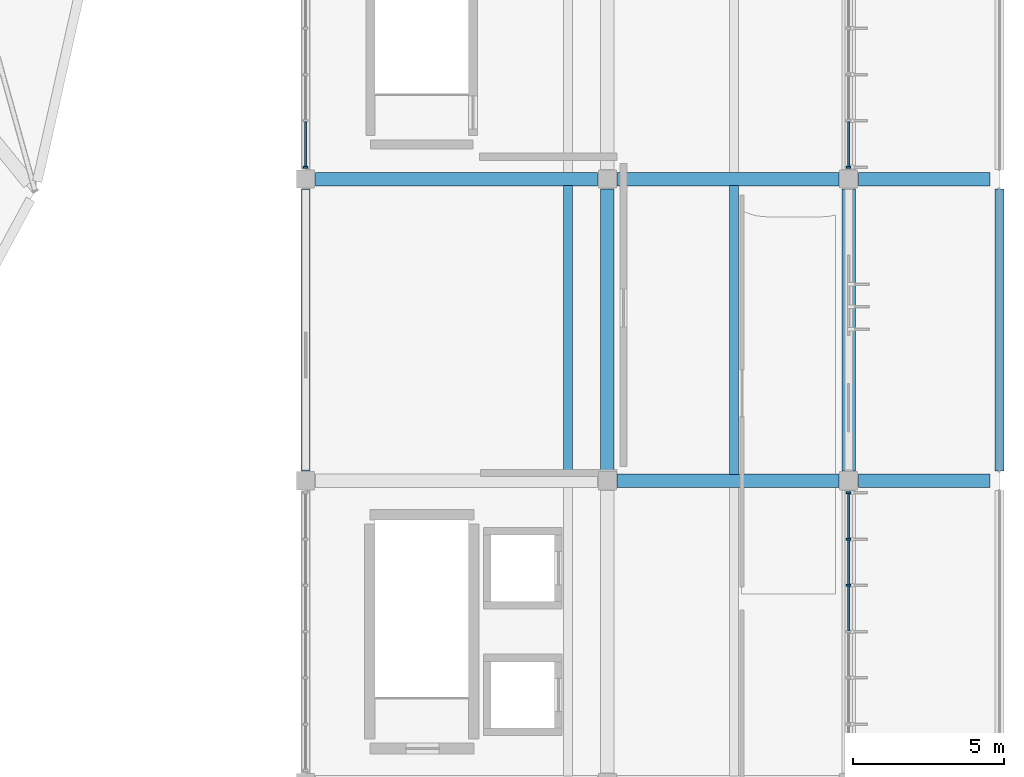
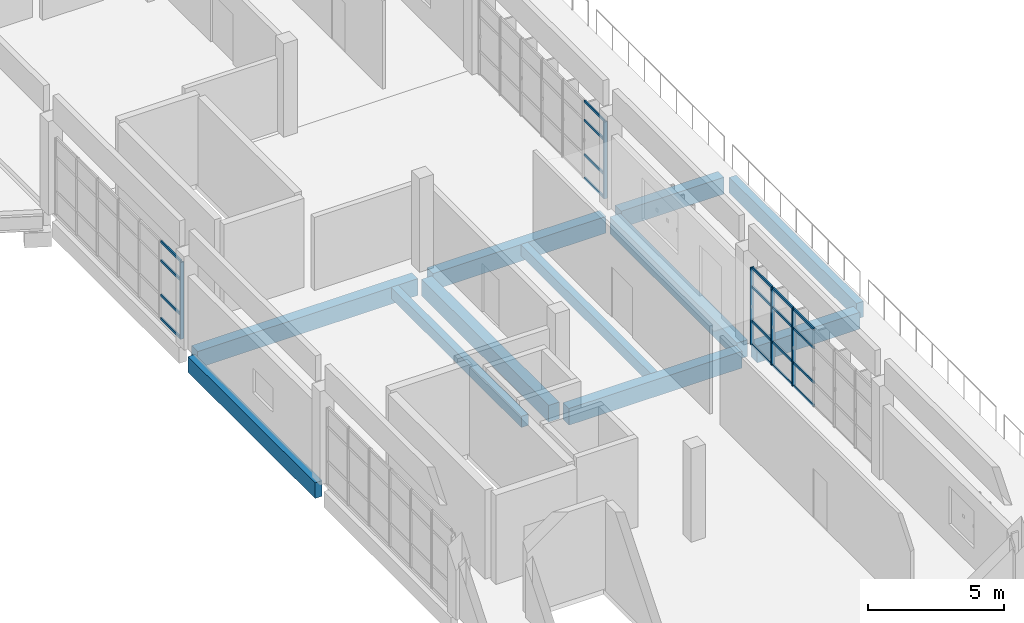
# One storey, part 9 of 39: 25 members, 11 beams, 3 elements without a shape of their own.
"""IFC4 building model written with IfcOpenShell, lengths in metres."""

from ifc_helpers import new_model, si_unit, direction, frame, origin, origin_2d, place, context, subcontext, project, spatial, rectangle, extrude, material, layer, layer_set, material_profile, profile_set, type_object, element, aggregate, save


model = new_model("IFC4")

# Units and contexts
model_context = context("Model", 3, precision=1e-05, world=origin(), true_north=direction((0.0, 1.0)))
body_context = subcontext(model_context, "Body", "Model", "MODEL_VIEW")
ifc_project = project(units=[si_unit("LENGTHUNIT", "METRE"), si_unit("AREAUNIT", "SQUARE_METRE"), si_unit("VOLUMEUNIT", "CUBIC_METRE"), si_unit("PLANEANGLEUNIT", "RADIAN"), si_unit("MASSUNIT", "GRAM", prefix="KILO")], contexts=[model_context])

# Site, building, storey
site_placement = place(None, origin())
site = spatial("IfcSite", under=ifc_project, at=site_placement, CompositionType="ELEMENT")
building_placement = place(site_placement, origin())
building = spatial("IfcBuilding", under=site, at=building_placement, Name="Corvandel Quay Wholesale Market", CompositionType="ELEMENT")
storey_placement = place(building_placement, frame((0.0, 0.0, 15.0)))
storey = spatial("IfcBuildingStorey", under=building, at=storey_placement, Name="L03", CompositionType="ELEMENT", Elevation=15.0)

# Curtain wall, members
ifc_material_1 = material(Name="Bronze anodised aluminium and low-E insulated glazing", Category="aluminium")
ifc_layer_1 = layer(ifc_material_1, 0.197998046875)
ifc_layer_set_1 = layer_set([ifc_layer_1], Name="Bronze anodised aluminium and low-E insulated glazing")
curtain_wall_type_1 = type_object("IfcCurtainWallType", Name="Stick Curtain Wall System CW14 H4260", PredefinedType="NOTDEFINED", material=ifc_layer_set_1)
curtain_wall_1_placement = place(storey_placement, origin())
curtain_wall_1 = element("IfcCurtainWall", 1, at=curtain_wall_1_placement, inside=storey, type_object=curtain_wall_type_1, Name="Curtain Wall CW-0162", PredefinedType="NOTDEFINED")
ifc_material_2 = material(Name="Anodised aluminium 6063-T6", Category="aluminium")
ifc_material_profile_1 = material_profile(ifc_material_2, rectangle(XDim=0.06494140625, YDim=0.14990234375, at=origin_2d()), Name="ALU-MUL-65x150")
ifc_profile_set_1 = profile_set([ifc_material_profile_1], Name="Anodised aluminium 6063-T6")
member_type_1 = type_object("IfcMemberType", Name="Curtain Wall Mullion ML02 65x150", PredefinedType="MULLION", material=ifc_profile_set_1)
member_1_placement = place(storey_placement, frame((238.0, 26.533203125, 0.0), z_axis=(0.0, 0.0, 1.0), x_axis=(0.0, 1.0, 0.0)))
member_1 = element("IfcMember", 2, at=member_1_placement, type_object=member_type_1, Name="Mullion CW-0162-M04", PredefinedType="MULLION", context=body_context, shape_type="SweptSolid", body=[
    extrude(rectangle(XDim=0.06494140625, YDim=0.14990234375, at=origin_2d()), origin(), (0.0, 0.0, 1.0), 3.449951171875),
])
member_2_placement = place(storey_placement, frame((238.0, 28.066650390625, 0.0), z_axis=(0.0, 0.0, 1.0), x_axis=(0.0, 1.0, 0.0)))
member_2 = element("IfcMember", 3, at=member_2_placement, type_object=member_type_1, Name="Mullion CW-0162-M05", PredefinedType="MULLION", context=body_context, shape_type="SweptSolid", body=[
    extrude(rectangle(XDim=0.06494140625, YDim=0.14990234375, at=origin_2d()), origin(), (0.0, 0.0, 1.0), 3.449951171875),
])
member_3_placement = place(storey_placement, frame((238.0, 29.60009765625, 0.0), z_axis=(0.0, 0.0, 1.0), x_axis=(0.0, 1.0, 0.0)))
member_3 = element("IfcMember", 4, at=member_3_placement, type_object=member_type_1, Name="Mullion CW-0162-M06", PredefinedType="MULLION", context=body_context, shape_type="SweptSolid", body=[
    extrude(rectangle(XDim=0.06494140625, YDim=0.14990234375, at=origin_2d()), origin(), (0.0, 0.0, 1.0), 3.449951171875),
])

# Curtain wall, member
ifc_layer_2 = layer(ifc_material_1, 0.162109375)
ifc_layer_set_2 = layer_set([ifc_layer_2], Name="Bronze anodised aluminium and low-E insulated glazing")
curtain_wall_type_2 = type_object("IfcCurtainWallType", Name="Stick Curtain Wall System CW16 H4440", PredefinedType="NOTDEFINED", material=ifc_layer_set_2)
curtain_wall_2_placement = place(storey_placement, origin())
curtain_wall_2 = element("IfcCurtainWall", 5, at=curtain_wall_2_placement, inside=storey, type_object=curtain_wall_type_2, Name="Curtain Wall CW-0164", PredefinedType="NOTDEFINED")
member_4_placement = place(storey_placement, frame((238.0, 40.39990234375, 0.0), z_axis=(0.0, 0.0, 1.0), x_axis=(0.0, 1.0, 0.0)))
member_4 = element("IfcMember", 6, at=member_4_placement, type_object=member_type_1, Name="Mullion CW-0164-M00", PredefinedType="MULLION", context=body_context, shape_type="SweptSolid", body=[
    extrude(rectangle(XDim=0.06494140625, YDim=0.14990234375, at=origin_2d()), origin(), (0.0, 0.0, 1.0), 3.449951171875),
])

ifc_layer_3 = layer(ifc_material_1, 0.174072265625)
ifc_layer_set_3 = layer_set([ifc_layer_3], Name="Bronze anodised aluminium and low-E insulated glazing")
curtain_wall_type_3 = type_object("IfcCurtainWallType", Name="Stick Curtain Wall System CW22 H4980", PredefinedType="NOTDEFINED", material=ifc_layer_set_3)
curtain_wall_3_placement = place(storey_placement, origin())
curtain_wall_3 = element("IfcCurtainWall", 7, at=curtain_wall_3_placement, inside=storey, type_object=curtain_wall_type_3, Name="Curtain Wall CW-0165", PredefinedType="NOTDEFINED")
member_5_placement = place(storey_placement, frame((220.0, 40.39990234375, 0.0), z_axis=(0.0, 0.0, 1.0), x_axis=(0.0, 1.0, 0.0)))
member_5 = element("IfcMember", 8, at=member_5_placement, type_object=member_type_1, Name="Mullion CW-0165-M00", PredefinedType="MULLION", context=body_context, shape_type="SweptSolid", body=[
    extrude(rectangle(XDim=0.06494140625, YDim=0.14990234375, at=origin_2d()), origin(), (0.0, 0.0, 1.0), 3.449951171875),
])

# Member
ifc_material_profile_2 = material_profile(ifc_material_2, rectangle(XDim=0.06005859375, YDim=0.110107421875, at=origin_2d()), Name="ALU-TRN-60x110")
ifc_profile_set_2 = profile_set([ifc_material_profile_2], Name="Anodised aluminium 6063-T6")
member_type_2 = type_object("IfcMemberType", Name="Curtain Wall Transom TR02 60x110", PredefinedType="USERDEFINED", material=ifc_profile_set_2)
member_6_placement = place(storey_placement, frame((238.0, 25.032470703125, 0.0), z_axis=(0.0, 1.0, 0.0), x_axis=(-1.0, 0.0, 0.0)))
member_6 = element("IfcMember", 9, at=member_6_placement, type_object=member_type_2, Name="Transom CW-0162-T03-0", ObjectType="TRANSOM", PredefinedType="USERDEFINED", context=body_context, shape_type="SweptSolid", body=[
    extrude(rectangle(XDim=0.06005859375, YDim=0.110107421875, at=origin_2d()), origin(), (0.0, 0.0, 1.0), 1.46826171875),
])

member_7_placement = place(storey_placement, frame((238.0, 25.032470703125, 1.050048828125), z_axis=(0.0, 1.0, 0.0), x_axis=(-1.0, 0.0, 0.0)))
member_7 = element("IfcMember", 10, at=member_7_placement, type_object=member_type_2, Name="Transom CW-0162-T03-1", ObjectType="TRANSOM", PredefinedType="USERDEFINED", context=body_context, shape_type="SweptSolid", body=[
    extrude(rectangle(XDim=0.06005859375, YDim=0.110107421875, at=origin_2d()), origin(), (0.0, 0.0, 1.0), 1.46826171875),
])

member_8_placement = place(storey_placement, frame((238.0, 25.032470703125, 2.60009765625), z_axis=(0.0, 1.0, 0.0), x_axis=(-1.0, 0.0, 0.0)))
member_8 = element("IfcMember", 11, at=member_8_placement, type_object=member_type_2, Name="Transom CW-0162-T03-2", ObjectType="TRANSOM", PredefinedType="USERDEFINED", context=body_context, shape_type="SweptSolid", body=[
    extrude(rectangle(XDim=0.06005859375, YDim=0.110107421875, at=origin_2d()), origin(), (0.0, 0.0, 1.0), 1.46826171875),
])

member_9_placement = place(storey_placement, frame((238.0, 25.032470703125, 3.449951171875), z_axis=(0.0, 1.0, 0.0), x_axis=(-1.0, 0.0, 0.0)))
member_9 = element("IfcMember", 12, at=member_9_placement, type_object=member_type_2, Name="Transom CW-0162-T03-3", ObjectType="TRANSOM", PredefinedType="USERDEFINED", context=body_context, shape_type="SweptSolid", body=[
    extrude(rectangle(XDim=0.06005859375, YDim=0.110107421875, at=origin_2d()), origin(), (0.0, 0.0, 1.0), 1.46826171875),
])

member_10_placement = place(storey_placement, frame((238.0, 26.56591796875, 0.0), z_axis=(0.0, 1.0, 0.0), x_axis=(-1.0, 0.0, 0.0)))
member_10 = element("IfcMember", 13, at=member_10_placement, type_object=member_type_2, Name="Transom CW-0162-T04-0", ObjectType="TRANSOM", PredefinedType="USERDEFINED", context=body_context, shape_type="SweptSolid", body=[
    extrude(rectangle(XDim=0.06005859375, YDim=0.110107421875, at=origin_2d()), origin(), (0.0, 0.0, 1.0), 1.46826171875),
])

member_11_placement = place(storey_placement, frame((238.0, 26.56591796875, 1.050048828125), z_axis=(0.0, 1.0, 0.0), x_axis=(-1.0, 0.0, 0.0)))
member_11 = element("IfcMember", 14, at=member_11_placement, type_object=member_type_2, Name="Transom CW-0162-T04-1", ObjectType="TRANSOM", PredefinedType="USERDEFINED", context=body_context, shape_type="SweptSolid", body=[
    extrude(rectangle(XDim=0.06005859375, YDim=0.110107421875, at=origin_2d()), origin(), (0.0, 0.0, 1.0), 1.46826171875),
])

member_12_placement = place(storey_placement, frame((238.0, 26.56591796875, 2.60009765625), z_axis=(0.0, 1.0, 0.0), x_axis=(-1.0, 0.0, 0.0)))
member_12 = element("IfcMember", 15, at=member_12_placement, type_object=member_type_2, Name="Transom CW-0162-T04-2", ObjectType="TRANSOM", PredefinedType="USERDEFINED", context=body_context, shape_type="SweptSolid", body=[
    extrude(rectangle(XDim=0.06005859375, YDim=0.110107421875, at=origin_2d()), origin(), (0.0, 0.0, 1.0), 1.46826171875),
])

member_13_placement = place(storey_placement, frame((238.0, 26.56591796875, 3.449951171875), z_axis=(0.0, 1.0, 0.0), x_axis=(-1.0, 0.0, 0.0)))
member_13 = element("IfcMember", 16, at=member_13_placement, type_object=member_type_2, Name="Transom CW-0162-T04-3", ObjectType="TRANSOM", PredefinedType="USERDEFINED", context=body_context, shape_type="SweptSolid", body=[
    extrude(rectangle(XDim=0.06005859375, YDim=0.110107421875, at=origin_2d()), origin(), (0.0, 0.0, 1.0), 1.46826171875),
])

member_14_placement = place(storey_placement, frame((238.0, 28.09912109375, 0.0), z_axis=(0.0, 1.0, 0.0), x_axis=(-1.0, 0.0, 0.0)))
member_14 = element("IfcMember", 17, at=member_14_placement, type_object=member_type_2, Name="Transom CW-0162-T05-0", ObjectType="TRANSOM", PredefinedType="USERDEFINED", context=body_context, shape_type="SweptSolid", body=[
    extrude(rectangle(XDim=0.06005859375, YDim=0.110107421875, at=origin_2d()), origin(), (0.0, 0.0, 1.0), 1.46826171875),
])

member_15_placement = place(storey_placement, frame((238.0, 28.09912109375, 1.050048828125), z_axis=(0.0, 1.0, 0.0), x_axis=(-1.0, 0.0, 0.0)))
member_15 = element("IfcMember", 18, at=member_15_placement, type_object=member_type_2, Name="Transom CW-0162-T05-1", ObjectType="TRANSOM", PredefinedType="USERDEFINED", context=body_context, shape_type="SweptSolid", body=[
    extrude(rectangle(XDim=0.06005859375, YDim=0.110107421875, at=origin_2d()), origin(), (0.0, 0.0, 1.0), 1.46826171875),
])

member_16_placement = place(storey_placement, frame((238.0, 28.09912109375, 2.60009765625), z_axis=(0.0, 1.0, 0.0), x_axis=(-1.0, 0.0, 0.0)))
member_16 = element("IfcMember", 19, at=member_16_placement, type_object=member_type_2, Name="Transom CW-0162-T05-2", ObjectType="TRANSOM", PredefinedType="USERDEFINED", context=body_context, shape_type="SweptSolid", body=[
    extrude(rectangle(XDim=0.06005859375, YDim=0.110107421875, at=origin_2d()), origin(), (0.0, 0.0, 1.0), 1.46826171875),
])

member_17_placement = place(storey_placement, frame((238.0, 28.09912109375, 3.449951171875), z_axis=(0.0, 1.0, 0.0), x_axis=(-1.0, 0.0, 0.0)))
member_17 = element("IfcMember", 20, at=member_17_placement, type_object=member_type_2, Name="Transom CW-0162-T05-3", ObjectType="TRANSOM", PredefinedType="USERDEFINED", context=body_context, shape_type="SweptSolid", body=[
    extrude(rectangle(XDim=0.06005859375, YDim=0.110107421875, at=origin_2d()), origin(), (0.0, 0.0, 1.0), 1.46826171875),
])

aggregate(curtain_wall_1, [member_1, member_2, member_3, member_6, member_7, member_8, member_9, member_10, member_11, member_12, member_13, member_14, member_15, member_16, member_17])

member_18_placement = place(storey_placement, frame((238.0, 40.4326171875, 0.0), z_axis=(0.0, 1.0, 0.0), x_axis=(-1.0, 0.0, 0.0)))
member_18 = element("IfcMember", 21, at=member_18_placement, type_object=member_type_2, Name="Transom CW-0164-T00-0", ObjectType="TRANSOM", PredefinedType="USERDEFINED", context=body_context, shape_type="SweptSolid", body=[
    extrude(rectangle(XDim=0.06005859375, YDim=0.110107421875, at=origin_2d()), origin(), (0.0, 0.0, 1.0), 1.46826171875),
])

member_19_placement = place(storey_placement, frame((238.0, 40.4326171875, 1.050048828125), z_axis=(0.0, 1.0, 0.0), x_axis=(-1.0, 0.0, 0.0)))
member_19 = element("IfcMember", 22, at=member_19_placement, type_object=member_type_2, Name="Transom CW-0164-T00-1", ObjectType="TRANSOM", PredefinedType="USERDEFINED", context=body_context, shape_type="SweptSolid", body=[
    extrude(rectangle(XDim=0.06005859375, YDim=0.110107421875, at=origin_2d()), origin(), (0.0, 0.0, 1.0), 1.46826171875),
])

member_20_placement = place(storey_placement, frame((238.0, 40.4326171875, 2.60009765625), z_axis=(0.0, 1.0, 0.0), x_axis=(-1.0, 0.0, 0.0)))
member_20 = element("IfcMember", 23, at=member_20_placement, type_object=member_type_2, Name="Transom CW-0164-T00-2", ObjectType="TRANSOM", PredefinedType="USERDEFINED", context=body_context, shape_type="SweptSolid", body=[
    extrude(rectangle(XDim=0.06005859375, YDim=0.110107421875, at=origin_2d()), origin(), (0.0, 0.0, 1.0), 1.46826171875),
])

member_21_placement = place(storey_placement, frame((238.0, 40.4326171875, 3.449951171875), z_axis=(0.0, 1.0, 0.0), x_axis=(-1.0, 0.0, 0.0)))
member_21 = element("IfcMember", 24, at=member_21_placement, type_object=member_type_2, Name="Transom CW-0164-T00-3", ObjectType="TRANSOM", PredefinedType="USERDEFINED", context=body_context, shape_type="SweptSolid", body=[
    extrude(rectangle(XDim=0.06005859375, YDim=0.110107421875, at=origin_2d()), origin(), (0.0, 0.0, 1.0), 1.46826171875),
])

aggregate(curtain_wall_2, [member_4, member_18, member_19, member_20, member_21])

member_22_placement = place(storey_placement, frame((220.0, 40.4326171875, 0.0), z_axis=(0.0, 1.0, 0.0), x_axis=(-1.0, 0.0, 0.0)))
member_22 = element("IfcMember", 25, at=member_22_placement, type_object=member_type_2, Name="Transom CW-0165-T00-0", ObjectType="TRANSOM", PredefinedType="USERDEFINED", context=body_context, shape_type="SweptSolid", body=[
    extrude(rectangle(XDim=0.06005859375, YDim=0.110107421875, at=origin_2d()), origin(), (0.0, 0.0, 1.0), 1.46826171875),
])

member_23_placement = place(storey_placement, frame((220.0, 40.4326171875, 1.050048828125), z_axis=(0.0, 1.0, 0.0), x_axis=(-1.0, 0.0, 0.0)))
member_23 = element("IfcMember", 26, at=member_23_placement, type_object=member_type_2, Name="Transom CW-0165-T00-1", ObjectType="TRANSOM", PredefinedType="USERDEFINED", context=body_context, shape_type="SweptSolid", body=[
    extrude(rectangle(XDim=0.06005859375, YDim=0.110107421875, at=origin_2d()), origin(), (0.0, 0.0, 1.0), 1.46826171875),
])

member_24_placement = place(storey_placement, frame((220.0, 40.4326171875, 2.60009765625), z_axis=(0.0, 1.0, 0.0), x_axis=(-1.0, 0.0, 0.0)))
member_24 = element("IfcMember", 27, at=member_24_placement, type_object=member_type_2, Name="Transom CW-0165-T00-2", ObjectType="TRANSOM", PredefinedType="USERDEFINED", context=body_context, shape_type="SweptSolid", body=[
    extrude(rectangle(XDim=0.06005859375, YDim=0.110107421875, at=origin_2d()), origin(), (0.0, 0.0, 1.0), 1.46826171875),
])

member_25_placement = place(storey_placement, frame((220.0, 40.4326171875, 3.449951171875), z_axis=(0.0, 1.0, 0.0), x_axis=(-1.0, 0.0, 0.0)))
member_25 = element("IfcMember", 28, at=member_25_placement, type_object=member_type_2, Name="Transom CW-0165-T00-3", ObjectType="TRANSOM", PredefinedType="USERDEFINED", context=body_context, shape_type="SweptSolid", body=[
    extrude(rectangle(XDim=0.06005859375, YDim=0.110107421875, at=origin_2d()), origin(), (0.0, 0.0, 1.0), 1.46826171875),
])

aggregate(curtain_wall_3, [member_5, member_22, member_23, member_24, member_25])

# Beams
ifc_material_3 = material(Name="Precast concrete C45/55", Category="concrete")
ifc_material_profile_3 = material_profile(ifc_material_3, rectangle(XDim=0.300048828125, YDim=0.5, at=origin_2d()), Name="PC-BM-300x500")
ifc_profile_set_3 = profile_set([ifc_material_profile_3], Name="Precast concrete C45/55")
beam_type_1 = type_object("IfcBeamType", Name="Office Floor Secondary Beam B04 300x500", PredefinedType="BEAM", material=ifc_profile_set_3)
for number, where, z_axis, x_axis, name in (
    (29, (228.699951171875, 30.215087890625, -0.570068359375), (0.0, 1.0, 0.0), (-1.0, 0.0, 0.0), "Beam BM-1682"),
    (30, (234.199951171875, 30.215087890625, -0.570068359375), (0.0, 1.0, 0.0), (-1.0, 0.0, 0.0), "Beam BM-1683"),
):
    element("IfcBeam", number, at=place(storey_placement, frame(where, z_axis=z_axis, x_axis=x_axis)), inside=storey, type_object=beam_type_1, Name=name, PredefinedType="BEAM", context=body_context, shape_type="SweptSolid", body=[
        extrude(rectangle(XDim=0.300048828125, YDim=0.5, at=origin_2d()), origin(), (0.0, 0.0, 1.0), 9.56982421875),
    ])
ifc_material_profile_4 = material_profile(ifc_material_3, rectangle(XDim=0.300048828125, YDim=0.699951171875, at=origin_2d()), Name="PC-SPN-300x700")
ifc_profile_set_4 = profile_set([ifc_material_profile_4], Name="Precast concrete C45/55")
beam_type_2 = type_object("IfcBeamType", Name="Terrace Edge Spandrel SP03 300x700", PredefinedType="SPANDREL", material=ifc_profile_set_4)
for number, where, z_axis, x_axis, name in (
    (31, (220.0, 30.320068359375, -0.669921875), (0.0, 1.0, 0.0), (-1.0, 0.0, 0.0), "Beam BM-1644"),
    (32, (243.0, 30.320068359375, -0.669921875), (0.0, 1.0, 0.0), (-1.0, 0.0, 0.0), "Beam BM-1671"),
):
    element("IfcBeam", number, at=place(storey_placement, frame(where, z_axis=z_axis, x_axis=x_axis)), inside=storey, type_object=beam_type_2, Name=name, PredefinedType="SPANDREL", context=body_context, shape_type="SweptSolid", body=[
        extrude(rectangle(XDim=0.300048828125, YDim=0.699951171875, at=origin_2d()), origin(), (0.0, 0.0, 1.0), 9.35986328125),
    ])
ifc_material_profile_5 = material_profile(ifc_material_3, rectangle(XDim=0.449951171875, YDim=0.75, at=origin_2d()), Name="PC-GIR-450x750")
ifc_profile_set_5 = profile_set([ifc_material_profile_5], Name="Precast concrete C45/55")
beam_type_3 = type_object("IfcBeamType", Name="Waterfront Office Girder G06 450x750", PredefinedType="USERDEFINED", material=ifc_profile_set_5)
beam_1_placement = place(storey_placement, frame((230.320068359375, 30.0, -0.695068359375), z_axis=(1.0, 0.0, 0.0), x_axis=(0.0, 1.0, 0.0)))
element("IfcBeam", 33, at=beam_1_placement, inside=storey, type_object=beam_type_3, Name="Beam BM-1619", ObjectType="GIRDER", PredefinedType="USERDEFINED", context=body_context, shape_type="SweptSolid", body=[
    extrude(rectangle(XDim=0.449951171875, YDim=0.75, at=origin_2d()), origin(), (0.0, 0.0, 1.0), 7.35986328125),
])
beam_2_placement = place(storey_placement, frame((238.320068359375, 30.0, -0.695068359375), z_axis=(1.0, 0.0, 0.0), x_axis=(0.0, 1.0, 0.0)))
element("IfcBeam", 34, at=beam_2_placement, inside=storey, type_object=beam_type_3, Name="Beam BM-1620", ObjectType="GIRDER", PredefinedType="USERDEFINED", context=body_context, shape_type="SweptSolid", body=[
    extrude(rectangle(XDim=0.449951171875, YDim=0.75, at=origin_2d()), origin(), (0.0, 0.0, 1.0), 4.35986328125),
])
beam_3_placement = place(storey_placement, frame((220.320068359375, 40.0, -0.695068359375), z_axis=(1.0, 0.0, 0.0), x_axis=(0.0, 1.0, 0.0)))
element("IfcBeam", 35, at=beam_3_placement, inside=storey, type_object=beam_type_3, Name="Beam BM-1621", ObjectType="GIRDER", PredefinedType="USERDEFINED", context=body_context, shape_type="SweptSolid", body=[
    extrude(rectangle(XDim=0.449951171875, YDim=0.75, at=origin_2d()), origin(), (0.0, 0.0, 1.0), 9.35986328125),
])
beam_4_placement = place(storey_placement, frame((230.320068359375, 40.0, -0.695068359375), z_axis=(1.0, 0.0, 0.0), x_axis=(0.0, 1.0, 0.0)))
element("IfcBeam", 36, at=beam_4_placement, inside=storey, type_object=beam_type_3, Name="Beam BM-1622", ObjectType="GIRDER", PredefinedType="USERDEFINED", context=body_context, shape_type="SweptSolid", body=[
    extrude(rectangle(XDim=0.449951171875, YDim=0.75, at=origin_2d()), origin(), (0.0, 0.0, 1.0), 7.35986328125),
])
beam_5_placement = place(storey_placement, frame((238.320068359375, 40.0, -0.695068359375), z_axis=(1.0, 0.0, 0.0), x_axis=(0.0, 1.0, 0.0)))
element("IfcBeam", 37, at=beam_5_placement, inside=storey, type_object=beam_type_3, Name="Beam BM-1623", ObjectType="GIRDER", PredefinedType="USERDEFINED", context=body_context, shape_type="SweptSolid", body=[
    extrude(rectangle(XDim=0.449951171875, YDim=0.75, at=origin_2d()), origin(), (0.0, 0.0, 1.0), 4.35986328125),
])
for number, where, z_axis, x_axis, name in (
    (38, (230.0, 30.320068359375, -0.695068359375), (0.0, 1.0, 0.0), (-1.0, 0.0, 0.0), "Beam BM-1653"),
    (39, (238.0, 30.320068359375, -0.695068359375), (0.0, 1.0, 0.0), (-1.0, 0.0, 0.0), "Beam BM-1662"),
):
    element("IfcBeam", number, at=place(storey_placement, frame(where, z_axis=z_axis, x_axis=x_axis)), inside=storey, type_object=beam_type_3, Name=name, ObjectType="GIRDER", PredefinedType="USERDEFINED", context=body_context, shape_type="SweptSolid", body=[
        extrude(rectangle(XDim=0.449951171875, YDim=0.75, at=origin_2d()), origin(), (0.0, 0.0, 1.0), 9.35986328125),
    ])

save(model, "model.ifc")
